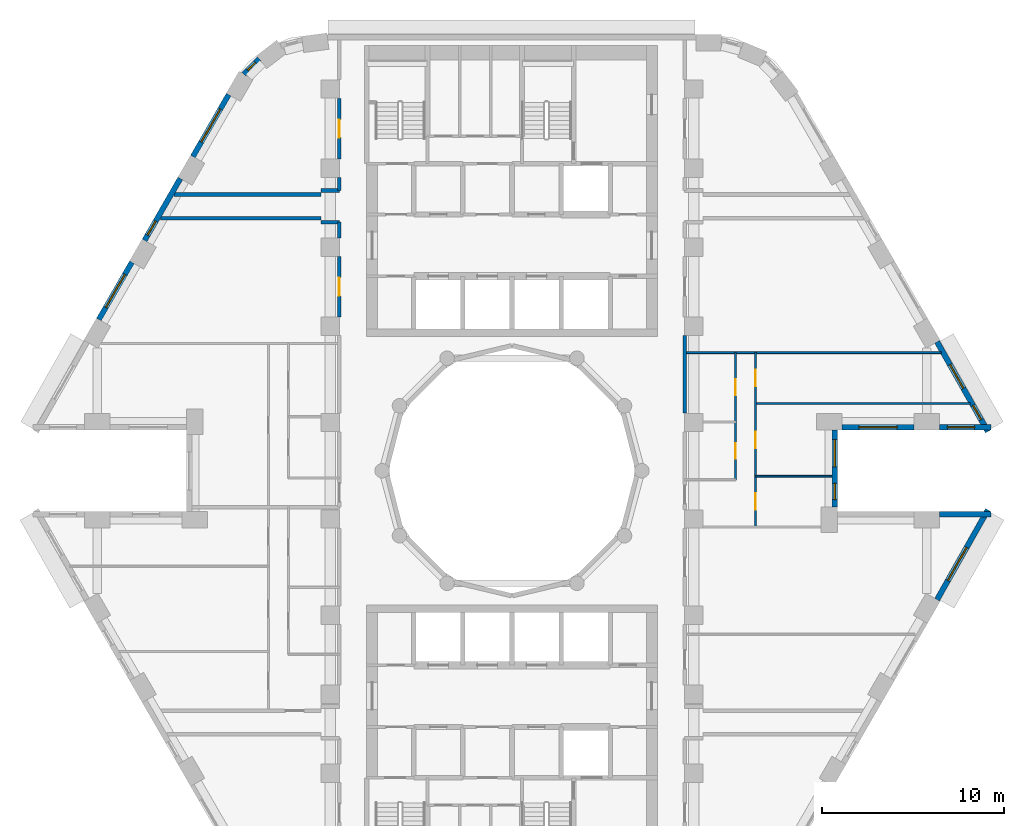
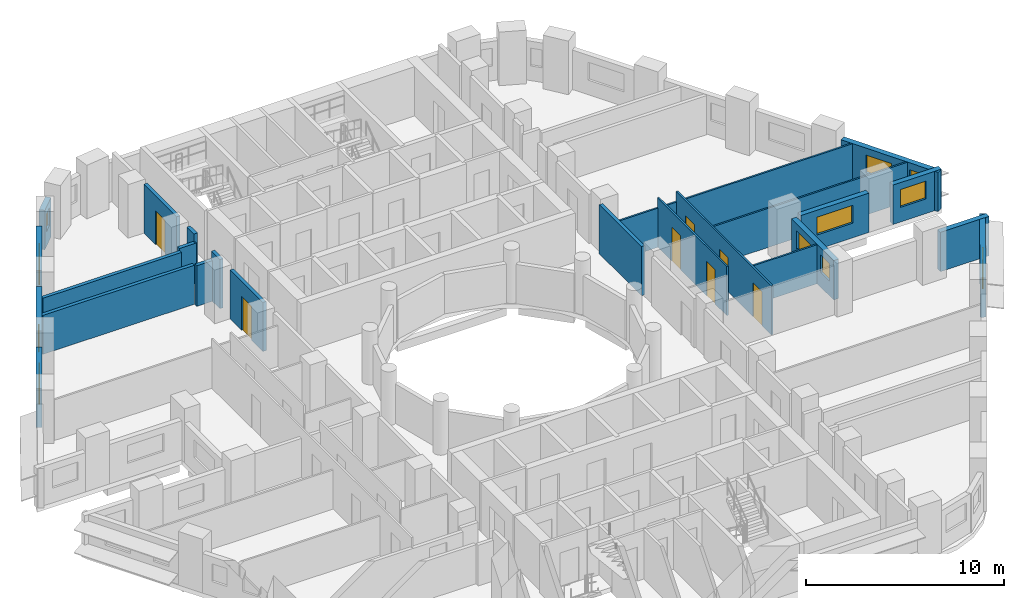
# One storey, part 6 of 12: 24 walls, 11 windows, 7 doors, 18 openings.
"""IFC4 building model written with IfcOpenShell, lengths in metres."""

from ifc_helpers import new_model, si_unit, direction, frame, frame_2d, origin, place, context, subcontext, project, spatial, rectangle, extrude, material, layer, layer_set, type_object, element, fill, save


model = new_model("IFC4")

# Units and contexts
model_context = context("Model", 3, precision=1e-05, world=origin(), true_north=direction((0.0, 1.0)))
body_context = subcontext(model_context, "Body", "Model", "MODEL_VIEW")
ifc_project = project(units=[si_unit("LENGTHUNIT", "METRE"), si_unit("AREAUNIT", "SQUARE_METRE"), si_unit("VOLUMEUNIT", "CUBIC_METRE"), si_unit("PLANEANGLEUNIT", "RADIAN"), si_unit("MASSUNIT", "GRAM", prefix="KILO")], contexts=[model_context])

# Site, building, storey
site_placement = place(None, origin())
site = spatial("IfcSite", under=ifc_project, at=site_placement, CompositionType="ELEMENT")
building_placement = place(site_placement, origin())
building = spatial("IfcBuilding", under=site, at=building_placement, Name="Nakaniwa Court", CompositionType="ELEMENT")
storey_placement = place(building_placement, frame((0.0, 0.0, 100.800048828125)))
storey = spatial("IfcBuildingStorey", under=building, at=storey_placement, Name="L26", CompositionType="ELEMENT", Elevation=100.800048828125)

# Walls
ifc_material_1 = material(Name="Acoustic double stud partition")
ifc_layer_1 = layer(ifc_material_1, 0.199951171875)
ifc_layer_set_1 = layer_set([ifc_layer_1], Name="Acoustic double stud partition")
wall_type_1 = type_object("IfcWallType", Name="Acoustic double stud partition 200", PredefinedType="PARTITIONING", material=ifc_layer_set_1)
wall_1_placement = place(storey_placement, frame((89.5, 83.1669921875, 0.0), z_axis=(0.0, 0.0, 1.0), x_axis=(0.0, 1.0, 0.0)))
element("IfcWall", 1, at=wall_1_placement, inside=storey, type_object=wall_type_1, Name="Partition PW-075", PredefinedType="PARTITIONING", context=body_context, shape_type="SweptSolid", body=[
    extrude(rectangle(XDim=4.26611328125, YDim=0.199951171875, at=frame_2d((2.133056640625, 0.0))), origin(), (0.0, 0.0, 1.0), 3.02490234375),
])
wall_2_placement = place(storey_placement, frame((60.65869140625, 93.89990234375, 0.0), z_axis=(0.0, 0.0, 1.0), x_axis=(1.0, 0.0, 0.0)))
element("IfcWall", 2, at=wall_2_placement, inside=storey, type_object=wall_type_1, Name="Partition PW-081", PredefinedType="PARTITIONING", context=body_context, shape_type="SweptSolid", body=[
    extrude(rectangle(XDim=8.84130859375, YDim=0.199951171875, at=frame_2d((4.420654296875, 0.0))), origin(), (0.0, 0.0, 1.0), 2.405029296875),
])
for number, where, z_axis, x_axis, name in (
    (3, (69.5, 93.675048828125, 0.0), (0.0, 0.0, 1.0), (1.0, 0.0, 0.0), "Partition PW-083"),
    (4, (69.5, 95.425048828125, 0.0), (0.0, 0.0, 1.0), (1.0, 0.0, 0.0), "Partition PW-085"),
):
    element("IfcWall", number, at=place(storey_placement, frame(where, z_axis=z_axis, x_axis=x_axis)), inside=storey, type_object=wall_type_1, Name=name, PredefinedType="PARTITIONING", context=body_context, shape_type="SweptSolid", body=[
        extrude(rectangle(XDim=1.0, YDim=0.199951171875, at=frame_2d((0.5, 0.0))), origin(), (0.0, 0.0, 1.0), 2.5048828125),
    ])
wall_3_placement = place(storey_placement, frame((61.4091796875, 95.199951171875, 0.0), z_axis=(0.0, 0.0, 1.0), x_axis=(1.0, 0.0, 0.0)))
element("IfcWall", 5, at=wall_3_placement, inside=storey, type_object=wall_type_1, Name="Partition PW-087", PredefinedType="PARTITIONING", context=body_context, shape_type="SweptSolid", body=[
    extrude(rectangle(XDim=8.0908203125, YDim=0.199951171875, at=frame_2d((4.04541015625, 0.0))), origin(), (0.0, 0.0, 1.0), 2.405029296875),
])

# Wall, opening, door
wall_4_placement = place(storey_placement, frame((70.5, 88.467041015625, 0.0), z_axis=(0.0, 0.0, 1.0), x_axis=(0.0, 1.0, 0.0)))
wall_4 = element("IfcWall", 6, at=wall_4_placement, inside=storey, type_object=wall_type_1, Name="Partition PW-104", PredefinedType="PARTITIONING", context=body_context, shape_type="SweptSolid", body=[
    extrude(rectangle(XDim=3.31591796875, YDim=0.199951171875, at=frame_2d((1.657958984375, 0.0))), origin(), (0.0, 0.0, 1.0), 3.02490234375),
])
opening_1_placement = place(wall_4_placement, frame((1.157958984375, 0.0, 0.0)))
opening_1 = element("IfcOpeningElement", 7, at=opening_1_placement, cuts=wall_4, Name="Opening D-02-04", PredefinedType="OPENING", context=body_context, shape_type="SweptSolid", body=[
    extrude(rectangle(XDim=1.0, YDim=2.10009765625, at=frame_2d((0.5, 1.050048828125))), frame((0.0, 0.10986328125, 0.0), z_axis=(0.0, -1.0, 0.0), x_axis=(1.0, 0.0, 0.0)), (0.0, 0.0, 1.0), 0.219970703125),
])
ifc_material_2 = material(Name="Solid core timber door set, black veneer", Category="wood")
door_type_1 = type_object("IfcDoorType", Name="Internal door 1000", OperationType="NOTDEFINED", PredefinedType="DOOR", material=ifc_material_2)
door_1_placement = place(opening_1_placement, origin())
door_1 = element("IfcDoor", 8, at=door_1_placement, inside=storey, type_object=door_type_1, Name="Door D-02-04 L26-046", OperationType="SINGLE_SWING_LEFT", OverallHeight=2.10009765625, OverallWidth=1.0, PredefinedType="DOOR", context=body_context, shape_type="SweptSolid", body=[
    extrude(rectangle(XDim=1.0, YDim=2.10009765625, at=frame_2d((0.5, 1.050048828125))), frame((0.0, 0.02490234375, 0.0), z_axis=(0.0, -1.0, 0.0), x_axis=(1.0, 0.0, 0.0)), (0.0, 0.0, 1.0), 0.050048828125),
])
fill(opening_1, door_1)

# Walls
wall_5_placement = place(storey_placement, frame((70.5, 92.81689453125, 0.0), z_axis=(0.0, 0.0, 1.0), x_axis=(0.0, 1.0, 0.0)))
element("IfcWall", 9, at=wall_5_placement, inside=storey, type_object=wall_type_1, Name="Partition PW-105", PredefinedType="PARTITIONING", context=body_context, shape_type="SweptSolid", body=[
    extrude(rectangle(XDim=0.861083984375, YDim=0.199951171875, at=frame_2d((0.4306640625, 0.0))), origin(), (0.0, 0.0, 1.0), 3.02490234375),
])
wall_6_placement = place(storey_placement, frame((70.5, 95.422119140625, 0.0), z_axis=(0.0, 0.0, 1.0), x_axis=(0.0, 1.0, 0.0)))
element("IfcWall", 10, at=wall_6_placement, inside=storey, type_object=wall_type_1, Name="Partition PW-106", PredefinedType="PARTITIONING", context=body_context, shape_type="SweptSolid", body=[
    extrude(rectangle(XDim=0.7109375, YDim=0.199951171875, at=frame_2d((0.35546875, 0.0))), origin(), (0.0, 0.0, 1.0), 3.02490234375),
])

# Wall, opening, door
wall_7_placement = place(storey_placement, frame((70.5, 97.1669921875, 0.0), z_axis=(0.0, 0.0, 1.0), x_axis=(0.0, 1.0, 0.0)))
wall_7 = element("IfcWall", 11, at=wall_7_placement, inside=storey, type_object=wall_type_1, Name="Partition PW-107", PredefinedType="PARTITIONING", context=body_context, shape_type="SweptSolid", body=[
    extrude(rectangle(XDim=3.31591796875, YDim=0.199951171875, at=frame_2d((1.657958984375, 0.0))), origin(), (0.0, 0.0, 1.0), 3.02490234375),
])
opening_2_placement = place(wall_7_placement, frame((1.157958984375, 0.0, 0.0)))
opening_2 = element("IfcOpeningElement", 12, at=opening_2_placement, cuts=wall_7, Name="Opening D-02-08", PredefinedType="OPENING", context=body_context, shape_type="SweptSolid", body=[
    extrude(rectangle(XDim=1.0, YDim=2.10009765625, at=frame_2d((0.5, 1.050048828125))), frame((0.0, 0.10986328125, 0.0), z_axis=(0.0, -1.0, 0.0), x_axis=(1.0, 0.0, 0.0)), (0.0, 0.0, 1.0), 0.219970703125),
])
door_2_placement = place(opening_2_placement, origin())
door_2 = element("IfcDoor", 13, at=door_2_placement, inside=storey, type_object=door_type_1, Name="Door D-02-08 L26-050", OperationType="SINGLE_SWING_LEFT", OverallHeight=2.10009765625, OverallWidth=1.0, PredefinedType="DOOR", context=body_context, shape_type="SweptSolid", body=[
    extrude(rectangle(XDim=1.0, YDim=2.10009765625, at=frame_2d((0.5, 1.050048828125))), frame((0.0, 0.02490234375, 0.0), z_axis=(0.0, -1.0, 0.0), x_axis=(1.0, 0.0, 0.0)), (0.0, 0.0, 1.0), 0.050048828125),
])
fill(opening_2, door_2)

# Wall, opening, window
ifc_material_3 = material(Name="Charcoal ceramic cladding")
ifc_layer_2 = layer(ifc_material_3, 0.02, Name="Ceramic cladding")
ifc_material_4 = material(Name="Ventilated air cavity")
ifc_layer_3 = layer(ifc_material_4, 0.04, ventilated=True, Name="Ventilated cavity")
ifc_material_5 = material(Name="Mineral wool insulation")
ifc_layer_4 = layer(ifc_material_5, 0.1, Name="Insulation")
ifc_material_6 = material(Name="Cement bonded sheathing board")
ifc_layer_5 = layer(ifc_material_6, 0.012, Name="Sheathing")
ifc_material_7 = material(Name="Cold-formed galvanised stud frame with mineral wool infill")
ifc_layer_6 = layer(ifc_material_7, 0.1, Name="Stud frame")
ifc_material_8 = material(Name="Fire-rated gypsum plasterboard lining")
ifc_layer_7 = layer(ifc_material_8, 0.028, Name="Lining")
ifc_layer_set_2 = layer_set([ifc_layer_2, ifc_layer_3, ifc_layer_4, ifc_layer_5, ifc_layer_6, ifc_layer_7], Name="Charcoal ceramic faced external wall system")
wall_type_2 = type_object("IfcWallType", Name="Black ceramic faced external wall 300", PredefinedType="SOLIDWALL", material=ifc_layer_set_2)
wall_8_placement = place(storey_placement, frame((98.154296875, 82.39990234375, 0.0), z_axis=(0.0, 0.0, 1.0), x_axis=(1.0, 0.0, 0.0)))
wall_8 = element("IfcWall", 14, at=wall_8_placement, inside=storey, type_object=wall_type_2, Name="L26 external wall 00", PredefinedType="SOLIDWALL", context=body_context, shape_type="SweptSolid", body=[
    extrude(rectangle(XDim=3.97265625, YDim=0.300048828125, at=frame_2d((1.986328125, 0.0))), origin(), (0.0, 0.0, 1.0), 2.425048828125),
])
opening_3_placement = place(wall_8_placement, frame((0.936279296875, 0.0, 0.89990234375)))
opening_3 = element("IfcOpeningElement", 15, at=opening_3_placement, cuts=wall_8, Name="Opening W7.01", PredefinedType="OPENING", context=body_context, shape_type="SweptSolid", body=[
    extrude(rectangle(XDim=2.10009765625, YDim=1.10009765625, at=frame_2d((1.050048828125, 0.550048828125))), frame((0.0, 0.159912109375, 0.0), z_axis=(0.0, -1.0, 0.0), x_axis=(1.0, 0.0, 0.0)), (0.0, 0.0, 1.0), 0.320068359375),
])
ifc_material_9 = material(Name="Black anodised aluminium frame with dark low-E laminated double glazing", Category="aluminium")
window_type_1 = type_object("IfcWindowType", Name="Dark glass window 2100x1100 sill 900", PartitioningType="SINGLE_PANEL", PredefinedType="WINDOW", material=ifc_material_9)
window_1_placement = place(opening_3_placement, origin())
window_1 = element("IfcWindow", 16, at=window_1_placement, inside=storey, type_object=window_type_1, Name="L26 living window 00-0", OverallHeight=1.10009765625, OverallWidth=2.10009765625, PartitioningType="SINGLE_PANEL", PredefinedType="WINDOW", context=body_context, shape_type="SweptSolid", body=[
    extrude(rectangle(XDim=2.10009765625, YDim=1.10009765625, at=frame_2d((1.050048828125, 0.550048828125))), frame((0.0, 0.030029296875, 0.0), z_axis=(0.0, -1.0, 0.0), x_axis=(1.0, 0.0, 0.0)), (0.0, 0.0, 1.0), 0.06005859375),
])
fill(opening_3, window_1)

wall_9_placement = place(storey_placement, frame((103.518798828125, 82.39990234375, 0.0), z_axis=(0.0, 0.0, 1.0), x_axis=(1.0, 0.0, 0.0)))
wall_9 = element("IfcWall", 17, at=wall_9_placement, inside=storey, type_object=wall_type_2, Name="L26 external wall 01", PredefinedType="SOLIDWALL", context=body_context, shape_type="SweptSolid", body=[
    extrude(rectangle(XDim=2.837890625, YDim=0.300048828125, at=frame_2d((1.4189453125, 0.0))), origin(), (0.0, 0.0, 1.0), 2.425048828125),
])
opening_4_placement = place(wall_9_placement, frame((0.44384765625, 0.0, 0.89990234375)))
opening_4 = element("IfcOpeningElement", 18, at=opening_4_placement, cuts=wall_9, Name="Opening W5.02", PredefinedType="OPENING", context=body_context, shape_type="SweptSolid", body=[
    extrude(rectangle(XDim=1.5, YDim=1.10009765625, at=frame_2d((0.75, 0.550048828125))), frame((0.0, 0.159912109375, 0.0), z_axis=(0.0, -1.0, 0.0), x_axis=(1.0, 0.0, 0.0)), (0.0, 0.0, 1.0), 0.320068359375),
])
window_type_2 = type_object("IfcWindowType", Name="Dark glass window 1500x1100 sill 900", PartitioningType="SINGLE_PANEL", PredefinedType="WINDOW", material=ifc_material_9)
window_2_placement = place(opening_4_placement, origin())
window_2 = element("IfcWindow", 19, at=window_2_placement, inside=storey, type_object=window_type_2, Name="L26 living window 01-0", OverallHeight=1.10009765625, OverallWidth=1.5, PartitioningType="SINGLE_PANEL", PredefinedType="WINDOW", context=body_context, shape_type="SweptSolid", body=[
    extrude(rectangle(XDim=1.5, YDim=1.10009765625, at=frame_2d((0.75, 0.550048828125))), frame((0.0, 0.030029296875, 0.0), z_axis=(0.0, -1.0, 0.0), x_axis=(1.0, 0.0, 0.0)), (0.0, 0.0, 1.0), 0.06005859375),
])
fill(opening_4, window_2)

# Wall, openings, windows
wall_10_placement = place(storey_placement, frame((106.18603515625, 82.1533203125, 0.0), z_axis=(0.0, 0.0, 1.0), x_axis=(-0.492456858874, 0.870336855561, 0.0)))
wall_10 = element("IfcWall", 20, at=wall_10_placement, inside=storey, type_object=wall_type_2, Name="L26 external wall 02", PredefinedType="SOLIDWALL", context=body_context, shape_type="SweptSolid", body=[
    extrude(rectangle(XDim=5.676513671875, YDim=0.300048828125, at=frame_2d((2.83837890625, 0.0))), origin(), (0.0, 0.0, 1.0), 2.425048828125),
])
opening_5_placement = place(wall_10_placement, frame((0.7626953125, 0.0, 0.89990234375)))
opening_5 = element("IfcOpeningElement", 21, at=opening_5_placement, cuts=wall_10, Name="Opening W9.03", PredefinedType="OPENING", context=body_context, shape_type="SweptSolid", body=[
    extrude(rectangle(XDim=0.89990234375, YDim=1.10009765625, at=frame_2d((0.449951171875, 0.550048828125))), frame((0.0, 0.159912109375, 0.0), z_axis=(0.0, -1.0, 0.0), x_axis=(1.0, 0.0, 0.0)), (0.0, 0.0, 1.0), 0.320068359375),
])
opening_6_placement = place(wall_10_placement, frame((2.731689453125, 0.0, 0.89990234375)))
opening_6 = element("IfcOpeningElement", 22, at=opening_6_placement, cuts=wall_10, Name="Opening W5.04", PredefinedType="OPENING", context=body_context, shape_type="SweptSolid", body=[
    extrude(rectangle(XDim=1.5, YDim=1.10009765625, at=frame_2d((0.75, 0.550048828125))), frame((0.0, 0.159912109375, 0.0), z_axis=(0.0, -1.0, 0.0), x_axis=(1.0, 0.0, 0.0)), (0.0, 0.0, 1.0), 0.320068359375),
])
window_3_placement = place(opening_6_placement, origin())
window_3 = element("IfcWindow", 23, at=window_3_placement, inside=storey, type_object=window_type_2, Name="L26 bedroom window 02-1", OverallHeight=1.10009765625, OverallWidth=1.5, PartitioningType="SINGLE_PANEL", PredefinedType="WINDOW", context=body_context, shape_type="SweptSolid", body=[
    extrude(rectangle(XDim=1.5, YDim=1.10009765625, at=frame_2d((0.75, 0.550048828125))), frame((0.0, 0.030029296875, 0.0), z_axis=(0.0, -1.0, 0.0), x_axis=(1.0, 0.0, 0.0)), (0.0, 0.0, 1.0), 0.06005859375),
])
fill(opening_6, window_3)
window_type_3 = type_object("IfcWindowType", Name="Dark glass window 900x1100 sill 900", PartitioningType="SINGLE_PANEL", PredefinedType="WINDOW", material=ifc_material_9)
window_4_placement = place(opening_5_placement, origin())
window_4 = element("IfcWindow", 24, at=window_4_placement, inside=storey, type_object=window_type_3, Name="L26 living window 02-0", OverallHeight=1.10009765625, OverallWidth=0.89990234375, PartitioningType="SINGLE_PANEL", PredefinedType="WINDOW", context=body_context, shape_type="SweptSolid", body=[
    extrude(rectangle(XDim=0.89990234375, YDim=1.10009765625, at=frame_2d((0.449951171875, 0.550048828125))), frame((0.0, 0.030029296875, 0.0), z_axis=(0.0, -1.0, 0.0), x_axis=(1.0, 0.0, 0.0)), (0.0, 0.0, 1.0), 0.06005859375),
])
fill(opening_5, window_4)

# Wall, opening, window
wall_11_placement = place(storey_placement, frame((66.085205078125, 102.66259765625, 0.0), z_axis=(0.0, 0.0, 1.0), x_axis=(-0.708951665509, -0.705257070842, 0.0)))
wall_11 = element("IfcWall", 25, at=wall_11_placement, inside=storey, type_object=wall_type_2, Name="L26 external wall 10", PredefinedType="SOLIDWALL", context=body_context, shape_type="SweptSolid", body=[
    extrude(rectangle(XDim=1.189453125, YDim=0.300048828125, at=frame_2d((0.5947265625, 0.0))), origin(), (0.0, 0.0, 1.0), 2.425048828125),
])
opening_7_placement = place(wall_11_placement, frame((0.284423828125, 0.0, 0.89990234375)))
opening_7 = element("IfcOpeningElement", 26, at=opening_7_placement, cuts=wall_11, Name="Opening W8.11", PredefinedType="OPENING", context=body_context, shape_type="SweptSolid", body=[
    extrude(rectangle(XDim=0.60009765625, YDim=1.10009765625, at=frame_2d((0.300048828125, 0.550048828125))), frame((0.0, 0.159912109375, 0.0), z_axis=(0.0, -1.0, 0.0), x_axis=(1.0, 0.0, 0.0)), (0.0, 0.0, 1.0), 0.320068359375),
])
window_type_4 = type_object("IfcWindowType", Name="Dark glass window 600x1100 sill 900", PartitioningType="SINGLE_PANEL", PredefinedType="WINDOW", material=ifc_material_9)
window_5_placement = place(opening_7_placement, origin())
window_5 = element("IfcWindow", 27, at=window_5_placement, inside=storey, type_object=window_type_4, Name="L26 habitable room window 10-0", OverallHeight=1.10009765625, OverallWidth=0.60009765625, PartitioningType="SINGLE_PANEL", PredefinedType="WINDOW", context=body_context, shape_type="SweptSolid", body=[
    extrude(rectangle(XDim=0.60009765625, YDim=1.10009765625, at=frame_2d((0.300048828125, 0.550048828125))), frame((0.0, 0.030029296875, 0.0), z_axis=(0.0, -1.0, 0.0), x_axis=(1.0, 0.0, 0.0)), (0.0, 0.0, 1.0), 0.06005859375),
])
fill(opening_7, window_5)

wall_12_placement = place(storey_placement, frame((64.40966796875, 100.69677734375, 0.0), z_axis=(0.0, 0.0, 1.0), x_axis=(-0.500003583557, -0.866023334807, 0.0)))
wall_12 = element("IfcWall", 28, at=wall_12_placement, inside=storey, type_object=wall_type_2, Name="L26 external wall 11", PredefinedType="SOLIDWALL", context=body_context, shape_type="SweptSolid", body=[
    extrude(rectangle(XDim=3.93408203125, YDim=0.300048828125, at=frame_2d((1.967041015625, 0.0))), origin(), (0.0, 0.0, 1.0), 2.425048828125),
])
opening_8_placement = place(wall_12_placement, frame((0.9169921875, 0.0, 0.89990234375)))
opening_8 = element("IfcOpeningElement", 29, at=opening_8_placement, cuts=wall_12, Name="Opening W7.12", PredefinedType="OPENING", context=body_context, shape_type="SweptSolid", body=[
    extrude(rectangle(XDim=2.10009765625, YDim=1.10009765625, at=frame_2d((1.050048828125, 0.550048828125))), frame((0.0, 0.159912109375, 0.0), z_axis=(0.0, -1.0, 0.0), x_axis=(1.0, 0.0, 0.0)), (0.0, 0.0, 1.0), 0.320068359375),
])
window_6_placement = place(opening_8_placement, origin())
window_6 = element("IfcWindow", 30, at=window_6_placement, inside=storey, type_object=window_type_1, Name="L26 habitable room window 11-0", OverallHeight=1.10009765625, OverallWidth=2.10009765625, PartitioningType="SINGLE_PANEL", PredefinedType="WINDOW", context=body_context, shape_type="SweptSolid", body=[
    extrude(rectangle(XDim=2.10009765625, YDim=1.10009765625, at=frame_2d((1.050048828125, 0.550048828125))), frame((0.0, 0.030029296875, 0.0), z_axis=(0.0, -1.0, 0.0), x_axis=(1.0, 0.0, 0.0)), (0.0, 0.0, 1.0), 0.06005859375),
])
fill(opening_8, window_6)

wall_13_placement = place(storey_placement, frame((61.74658203125, 96.08447265625, 0.0), z_axis=(0.0, 0.0, 1.0), x_axis=(-0.499957037901, -0.866050206543, 0.0)))
wall_13 = element("IfcWall", 31, at=wall_13_placement, inside=storey, type_object=wall_type_2, Name="L26 external wall 12", PredefinedType="SOLIDWALL", context=body_context, shape_type="SweptSolid", body=[
    extrude(rectangle(XDim=3.933837890625, YDim=0.300048828125, at=frame_2d((1.966796875, 0.0))), origin(), (0.0, 0.0, 1.0), 2.425048828125),
])
opening_9_placement = place(wall_13_placement, frame((2.7041015625, 0.0, 0.89990234375)))
opening_9 = element("IfcOpeningElement", 32, at=opening_9_placement, cuts=wall_13, Name="Opening W9.13", PredefinedType="OPENING", context=body_context, shape_type="SweptSolid", body=[
    extrude(rectangle(XDim=0.89990234375, YDim=1.10009765625, at=frame_2d((0.449951171875, 0.550048828125))), frame((0.0, 0.159912109375, 0.0), z_axis=(0.0, -1.0, 0.0), x_axis=(1.0, 0.0, 0.0)), (0.0, 0.0, 1.0), 0.320068359375),
])
window_7_placement = place(opening_9_placement, origin())
window_7 = element("IfcWindow", 33, at=window_7_placement, inside=storey, type_object=window_type_3, Name="L26 habitable room window 12-2", OverallHeight=1.10009765625, OverallWidth=0.89990234375, PartitioningType="SINGLE_PANEL", PredefinedType="WINDOW", context=body_context, shape_type="SweptSolid", body=[
    extrude(rectangle(XDim=0.89990234375, YDim=1.10009765625, at=frame_2d((0.449951171875, 0.550048828125))), frame((0.0, 0.030029296875, 0.0), z_axis=(0.0, -1.0, 0.0), x_axis=(1.0, 0.0, 0.0)), (0.0, 0.0, 1.0), 0.06005859375),
])
fill(opening_9, window_7)

wall_14_placement = place(storey_placement, frame((59.083740234375, 91.471923828125, 0.0), z_axis=(0.0, 0.0, 1.0), x_axis=(-0.500009139881, -0.866020126807, 0.0)))
wall_14 = element("IfcWall", 34, at=wall_14_placement, inside=storey, type_object=wall_type_2, Name="L26 external wall 13", PredefinedType="SOLIDWALL", context=body_context, shape_type="SweptSolid", body=[
    extrude(rectangle(XDim=3.63671875, YDim=0.300048828125, at=frame_2d((1.818359375, 0.0))), origin(), (0.0, 0.0, 1.0), 2.425048828125),
])
opening_10_placement = place(wall_14_placement, frame((0.768310546875, 0.0, 0.89990234375)))
opening_10 = element("IfcOpeningElement", 35, at=opening_10_placement, cuts=wall_14, Name="Opening W7.14", PredefinedType="OPENING", context=body_context, shape_type="SweptSolid", body=[
    extrude(rectangle(XDim=2.10009765625, YDim=1.10009765625, at=frame_2d((1.050048828125, 0.550048828125))), frame((0.0, 0.159912109375, 0.0), z_axis=(0.0, -1.0, 0.0), x_axis=(1.0, 0.0, 0.0)), (0.0, 0.0, 1.0), 0.320068359375),
])
window_8_placement = place(opening_10_placement, origin())
window_8 = element("IfcWindow", 36, at=window_8_placement, inside=storey, type_object=window_type_1, Name="L26 habitable room window 13-0", OverallHeight=1.10009765625, OverallWidth=2.10009765625, PartitioningType="SINGLE_PANEL", PredefinedType="WINDOW", context=body_context, shape_type="SweptSolid", body=[
    extrude(rectangle(XDim=2.10009765625, YDim=1.10009765625, at=frame_2d((1.050048828125, 0.550048828125))), frame((0.0, 0.030029296875, 0.0), z_axis=(0.0, -1.0, 0.0), x_axis=(1.0, 0.0, 0.0)), (0.0, 0.0, 1.0), 0.06005859375),
])
fill(opening_10, window_8)

wall_15_placement = place(storey_placement, frame((103.390625, 72.90625, 0.0), z_axis=(0.0, 0.0, 1.0), x_axis=(0.492456858874, 0.870336855561, 0.0)))
wall_15 = element("IfcWall", 37, at=wall_15_placement, inside=storey, type_object=wall_type_2, Name="L26 external wall 32", PredefinedType="SOLIDWALL", context=body_context, shape_type="SweptSolid", body=[
    extrude(rectangle(XDim=5.676513671875, YDim=0.300048828125, at=frame_2d((2.83837890625, 0.0))), origin(), (0.0, 0.0, 1.0), 2.425048828125),
])
opening_11_placement = place(wall_15_placement, frame((1.208984375, 0.0, 0.89990234375)))
opening_11 = element("IfcOpeningElement", 38, at=opening_11_placement, cuts=wall_15, Name="Opening W7.34", PredefinedType="OPENING", context=body_context, shape_type="SweptSolid", body=[
    extrude(rectangle(XDim=2.10009765625, YDim=1.10009765625, at=frame_2d((1.050048828125, 0.550048828125))), frame((0.0, 0.159912109375, 0.0), z_axis=(0.0, -1.0, 0.0), x_axis=(1.0, 0.0, 0.0)), (0.0, 0.0, 1.0), 0.320068359375),
])
window_9_placement = place(opening_11_placement, origin())
window_9 = element("IfcWindow", 39, at=window_9_placement, inside=storey, type_object=window_type_1, Name="L26 habitable room window 32-0", OverallHeight=1.10009765625, OverallWidth=2.10009765625, PartitioningType="SINGLE_PANEL", PredefinedType="WINDOW", context=body_context, shape_type="SweptSolid", body=[
    extrude(rectangle(XDim=2.10009765625, YDim=1.10009765625, at=frame_2d((1.050048828125, 0.550048828125))), frame((0.0, 0.030029296875, 0.0), z_axis=(0.0, -1.0, 0.0), x_axis=(1.0, 0.0, 0.0)), (0.0, 0.0, 1.0), 0.06005859375),
])
fill(opening_11, window_9)

# Wall
wall_16_placement = place(storey_placement, frame((106.356689453125, 77.60009765625, 0.0), z_axis=(0.0, 0.0, 1.0), x_axis=(-1.0, 0.0, 0.0)))
element("IfcWall", 40, at=wall_16_placement, inside=storey, type_object=wall_type_2, Name="L26 external wall 33", PredefinedType="SOLIDWALL", context=body_context, shape_type="SweptSolid", body=[
    extrude(rectangle(XDim=2.837890625, YDim=0.300048828125, at=frame_2d((1.4189453125, 0.0))), origin(), (0.0, 0.0, 1.0), 2.425048828125),
])

# Wall, openings, windows
wall_17_placement = place(storey_placement, frame((97.75830078125, 77.99609375, 0.0), z_axis=(0.0, 0.0, 1.0), x_axis=(0.0, 1.0, 0.0)))
wall_17 = element("IfcWall", 41, at=wall_17_placement, inside=storey, type_object=wall_type_2, Name="L26 external wall 35", PredefinedType="SOLIDWALL", context=body_context, shape_type="SweptSolid", body=[
    extrude(rectangle(XDim=4.2578125, YDim=0.300048828125, at=frame_2d((2.12890625, 0.0))), origin(), (0.0, 0.0, 1.0), 2.425048828125),
])
opening_12_placement = place(wall_17_placement, frame((0.4140625, 0.0, 0.89990234375)))
opening_12 = element("IfcOpeningElement", 42, at=opening_12_placement, cuts=wall_17, Name="Opening W9.35", PredefinedType="OPENING", context=body_context, shape_type="SweptSolid", body=[
    extrude(rectangle(XDim=0.89990234375, YDim=1.10009765625, at=frame_2d((0.449951171875, 0.550048828125))), frame((0.0, 0.159912109375, 0.0), z_axis=(0.0, -1.0, 0.0), x_axis=(1.0, 0.0, 0.0)), (0.0, 0.0, 1.0), 0.320068359375),
])
opening_13_placement = place(wall_17_placement, frame((2.218994140625, 0.0, 0.89990234375)))
opening_13 = element("IfcOpeningElement", 43, at=opening_13_placement, cuts=wall_17, Name="Opening W5.36", PredefinedType="OPENING", context=body_context, shape_type="SweptSolid", body=[
    extrude(rectangle(XDim=1.5, YDim=1.10009765625, at=frame_2d((0.75, 0.550048828125))), frame((0.0, 0.159912109375, 0.0), z_axis=(0.0, -1.0, 0.0), x_axis=(1.0, 0.0, 0.0)), (0.0, 0.0, 1.0), 0.320068359375),
])
window_10_placement = place(opening_13_placement, origin())
window_10 = element("IfcWindow", 44, at=window_10_placement, inside=storey, type_object=window_type_2, Name="L26 living window 35-1", OverallHeight=1.10009765625, OverallWidth=1.5, PartitioningType="SINGLE_PANEL", PredefinedType="WINDOW", context=body_context, shape_type="SweptSolid", body=[
    extrude(rectangle(XDim=1.5, YDim=1.10009765625, at=frame_2d((0.75, 0.550048828125))), frame((0.0, 0.030029296875, 0.0), z_axis=(0.0, -1.0, 0.0), x_axis=(1.0, 0.0, 0.0)), (0.0, 0.0, 1.0), 0.06005859375),
])
fill(opening_13, window_10)
window_11_placement = place(opening_12_placement, origin())
window_11 = element("IfcWindow", 45, at=window_11_placement, inside=storey, type_object=window_type_3, Name="L26 bedroom window 35-0", OverallHeight=1.10009765625, OverallWidth=0.89990234375, PartitioningType="SINGLE_PANEL", PredefinedType="WINDOW", context=body_context, shape_type="SweptSolid", body=[
    extrude(rectangle(XDim=0.89990234375, YDim=1.10009765625, at=frame_2d((0.449951171875, 0.550048828125))), frame((0.0, 0.030029296875, 0.0), z_axis=(0.0, -1.0, 0.0), x_axis=(1.0, 0.0, 0.0)), (0.0, 0.0, 1.0), 0.06005859375),
])
fill(opening_12, window_11)

# Wall, openings, doors
ifc_material_10 = material(Name="Single stud plasterboard partition")
ifc_layer_8 = layer(ifc_material_10, 0.10009765625)
ifc_layer_set_3 = layer_set([ifc_layer_8], Name="Single stud plasterboard partition")
wall_type_3 = type_object("IfcWallType", Name="Single stud plasterboard partition 100", PredefinedType="PARTITIONING", material=ifc_layer_set_3)
wall_18_placement = place(storey_placement, frame((92.300048828125, 79.5, 0.0), z_axis=(0.0, 0.0, 1.0), x_axis=(0.0, 1.0, 0.0)))
wall_18 = element("IfcWall", 46, at=wall_18_placement, inside=storey, type_object=wall_type_3, Name="Partition PW-113", PredefinedType="PARTITIONING", context=body_context, shape_type="SweptSolid", body=[
    extrude(rectangle(XDim=7.0, YDim=0.10009765625, at=frame_2d((3.5, 0.0))), origin(), (0.0, 0.0, 1.0), 3.02490234375),
])
opening_14_placement = place(wall_18_placement, frame((1.166015625, 0.0, 0.0)))
opening_14 = element("IfcOpeningElement", 47, at=opening_14_placement, cuts=wall_18, Name="Opening D-03-01", PredefinedType="OPENING", context=body_context, shape_type="SweptSolid", body=[
    extrude(rectangle(XDim=0.85009765625, YDim=2.10009765625, at=frame_2d((0.425048828125, 1.050048828125))), frame((0.0, 0.06005859375, 0.0), z_axis=(0.0, -1.0, 0.0), x_axis=(1.0, 0.0, 0.0)), (0.0, 0.0, 1.0), 0.1201171875),
])
opening_15_placement = place(wall_18_placement, frame((4.64111328125, 0.0, 0.0)))
opening_15 = element("IfcOpeningElement", 48, at=opening_15_placement, cuts=wall_18, Name="Opening D-33-01", PredefinedType="OPENING", context=body_context, shape_type="SweptSolid", body=[
    extrude(rectangle(XDim=0.89990234375, YDim=2.10009765625, at=frame_2d((0.449951171875, 1.050048828125))), frame((0.0, 0.06005859375, 0.0), z_axis=(0.0, -1.0, 0.0), x_axis=(1.0, 0.0, 0.0)), (0.0, 0.0, 1.0), 0.1201171875),
])
ifc_material_11 = material(Name="Moisture sealed timber door set", Category="wood")
door_type_2 = type_object("IfcDoorType", Name="Bathroom door 850", OperationType="NOTDEFINED", PredefinedType="DOOR", material=ifc_material_11)
door_3_placement = place(opening_14_placement, origin())
door_3 = element("IfcDoor", 49, at=door_3_placement, inside=storey, type_object=door_type_2, Name="Door D-03-01 L26-029", OperationType="SINGLE_SWING_RIGHT", OverallHeight=2.10009765625, OverallWidth=0.85009765625, PredefinedType="DOOR", context=body_context, shape_type="SweptSolid", body=[
    extrude(rectangle(XDim=0.85009765625, YDim=2.10009765625, at=frame_2d((0.425048828125, 1.050048828125))), frame((0.0, 0.02490234375, 0.0), z_axis=(0.0, -1.0, 0.0), x_axis=(1.0, 0.0, 0.0)), (0.0, 0.0, 1.0), 0.050048828125),
])
fill(opening_14, door_3)
door_type_3 = type_object("IfcDoorType", Name="Internal door 900", OperationType="NOTDEFINED", PredefinedType="DOOR", material=ifc_material_2)
door_4_placement = place(opening_15_placement, origin())
door_4 = element("IfcDoor", 50, at=door_4_placement, inside=storey, type_object=door_type_3, Name="Door D-33-01 L26-030", OperationType="SINGLE_SWING_LEFT", OverallHeight=2.10009765625, OverallWidth=0.89990234375, PredefinedType="DOOR", context=body_context, shape_type="SweptSolid", body=[
    extrude(rectangle(XDim=0.89990234375, YDim=2.10009765625, at=frame_2d((0.449951171875, 1.050048828125))), frame((0.0, 0.02490234375, 0.0), z_axis=(0.0, -1.0, 0.0), x_axis=(1.0, 0.0, 0.0)), (0.0, 0.0, 1.0), 0.050048828125),
])
fill(opening_15, door_4)

# Wall
wall_19_placement = place(storey_placement, frame((89.5, 86.5, 0.0), z_axis=(0.0, 0.0, 1.0), x_axis=(1.0, 0.0, 0.0)))
element("IfcWall", 51, at=wall_19_placement, inside=storey, type_object=wall_type_3, Name="Partition PW-114", PredefinedType="PARTITIONING", context=body_context, shape_type="SweptSolid", body=[
    extrude(rectangle(XDim=14.113525390625, YDim=0.10009765625, at=frame_2d((7.056640625, 0.0))), origin(), (0.0, 0.0, 1.0), 2.405029296875),
])

# Wall, openings, doors
wall_20_placement = place(storey_placement, frame((93.39990234375, 86.5, 0.0), z_axis=(0.0, 0.0, 1.0), x_axis=(0.0, -1.0, 0.0)))
wall_20 = element("IfcWall", 52, at=wall_20_placement, inside=storey, type_object=wall_type_3, Name="Partition PW-115", PredefinedType="PARTITIONING", context=body_context, shape_type="SweptSolid", body=[
    extrude(rectangle(XDim=9.60009765625, YDim=0.10009765625, at=frame_2d((4.800048828125, 0.0))), origin(), (0.0, 0.0, 1.0), 3.02490234375),
])
opening_16_placement = place(wall_20_placement, frame((7.75, 0.0, 0.0)))
opening_16 = element("IfcOpeningElement", 53, at=opening_16_placement, cuts=wall_20, Name="Opening D-33-02", PredefinedType="OPENING", context=body_context, shape_type="SweptSolid", body=[
    extrude(rectangle(XDim=0.89990234375, YDim=2.10009765625, at=frame_2d((0.449951171875, 1.050048828125))), frame((0.0, 0.06005859375, 0.0), z_axis=(0.0, -1.0, 0.0), x_axis=(1.0, 0.0, 0.0)), (0.0, 0.0, 1.0), 0.1201171875),
])
opening_17_placement = place(wall_20_placement, frame((4.35009765625, 0.0, 0.0)))
opening_17 = element("IfcOpeningElement", 54, at=opening_17_placement, cuts=wall_20, Name="Opening D-33-03", PredefinedType="OPENING", context=body_context, shape_type="SweptSolid", body=[
    extrude(rectangle(XDim=0.89990234375, YDim=2.10009765625, at=frame_2d((0.449951171875, 1.050048828125))), frame((0.0, 0.06005859375, 0.0), z_axis=(0.0, -1.0, 0.0), x_axis=(1.0, 0.0, 0.0)), (0.0, 0.0, 1.0), 0.1201171875),
])
opening_18_placement = place(wall_20_placement, frame((0.949951171875, 0.0, 0.0)))
opening_18 = element("IfcOpeningElement", 55, at=opening_18_placement, cuts=wall_20, Name="Opening D-33-04", PredefinedType="OPENING", context=body_context, shape_type="SweptSolid", body=[
    extrude(rectangle(XDim=0.89990234375, YDim=2.10009765625, at=frame_2d((0.449951171875, 1.050048828125))), frame((0.0, 0.06005859375, 0.0), z_axis=(0.0, -1.0, 0.0), x_axis=(1.0, 0.0, 0.0)), (0.0, 0.0, 1.0), 0.1201171875),
])
door_5_placement = place(opening_16_placement, origin())
door_5 = element("IfcDoor", 56, at=door_5_placement, inside=storey, type_object=door_type_3, Name="Door D-33-02 L26-031", OperationType="SINGLE_SWING_RIGHT", OverallHeight=2.10009765625, OverallWidth=0.89990234375, PredefinedType="DOOR", context=body_context, shape_type="SweptSolid", body=[
    extrude(rectangle(XDim=0.89990234375, YDim=2.10009765625, at=frame_2d((0.449951171875, 1.050048828125))), frame((0.0, 0.02490234375, 0.0), z_axis=(0.0, -1.0, 0.0), x_axis=(1.0, 0.0, 0.0)), (0.0, 0.0, 1.0), 0.050048828125),
])
fill(opening_16, door_5)
door_6_placement = place(opening_17_placement, origin())
door_6 = element("IfcDoor", 57, at=door_6_placement, inside=storey, type_object=door_type_3, Name="Door D-33-03 L26-032", OperationType="SINGLE_SWING_LEFT", OverallHeight=2.10009765625, OverallWidth=0.89990234375, PredefinedType="DOOR", context=body_context, shape_type="SweptSolid", body=[
    extrude(rectangle(XDim=0.89990234375, YDim=2.10009765625, at=frame_2d((0.449951171875, 1.050048828125))), frame((0.0, 0.02490234375, 0.0), z_axis=(0.0, -1.0, 0.0), x_axis=(1.0, 0.0, 0.0)), (0.0, 0.0, 1.0), 0.050048828125),
])
fill(opening_17, door_6)
door_7_placement = place(opening_18_placement, origin())
door_7 = element("IfcDoor", 58, at=door_7_placement, inside=storey, type_object=door_type_3, Name="Door D-33-04 L26-033", OperationType="SINGLE_SWING_RIGHT", OverallHeight=2.10009765625, OverallWidth=0.89990234375, PredefinedType="DOOR", context=body_context, shape_type="SweptSolid", body=[
    extrude(rectangle(XDim=0.89990234375, YDim=2.10009765625, at=frame_2d((0.449951171875, 1.050048828125))), frame((0.0, 0.02490234375, 0.0), z_axis=(0.0, -1.0, 0.0), x_axis=(1.0, 0.0, 0.0)), (0.0, 0.0, 1.0), 0.050048828125),
])
fill(opening_18, door_7)

# Walls
wall_21_placement = place(storey_placement, frame((93.39990234375, 79.699951171875, 0.0), z_axis=(0.0, 0.0, 1.0), x_axis=(1.0, 0.0, 0.0)))
element("IfcWall", 59, at=wall_21_placement, inside=storey, type_object=wall_type_3, Name="Partition PW-116", PredefinedType="PARTITIONING", context=body_context, shape_type="SweptSolid", body=[
    extrude(rectangle(XDim=4.20849609375, YDim=0.10009765625, at=frame_2d((2.104248046875, 0.0))), origin(), (0.0, 0.0, 1.0), 2.405029296875),
])
wall_22_placement = place(storey_placement, frame((93.39990234375, 83.699951171875, 0.0), z_axis=(0.0, 0.0, 1.0), x_axis=(1.0, 0.0, 0.0)))
element("IfcWall", 60, at=wall_22_placement, inside=storey, type_object=wall_type_3, Name="Partition PW-117", PredefinedType="PARTITIONING", context=body_context, shape_type="SweptSolid", body=[
    extrude(rectangle(XDim=11.830322265625, YDim=0.10009765625, at=frame_2d((5.9150390625, 0.0))), origin(), (0.0, 0.0, 1.0), 2.405029296875),
])

save(model, "model.ifc")
